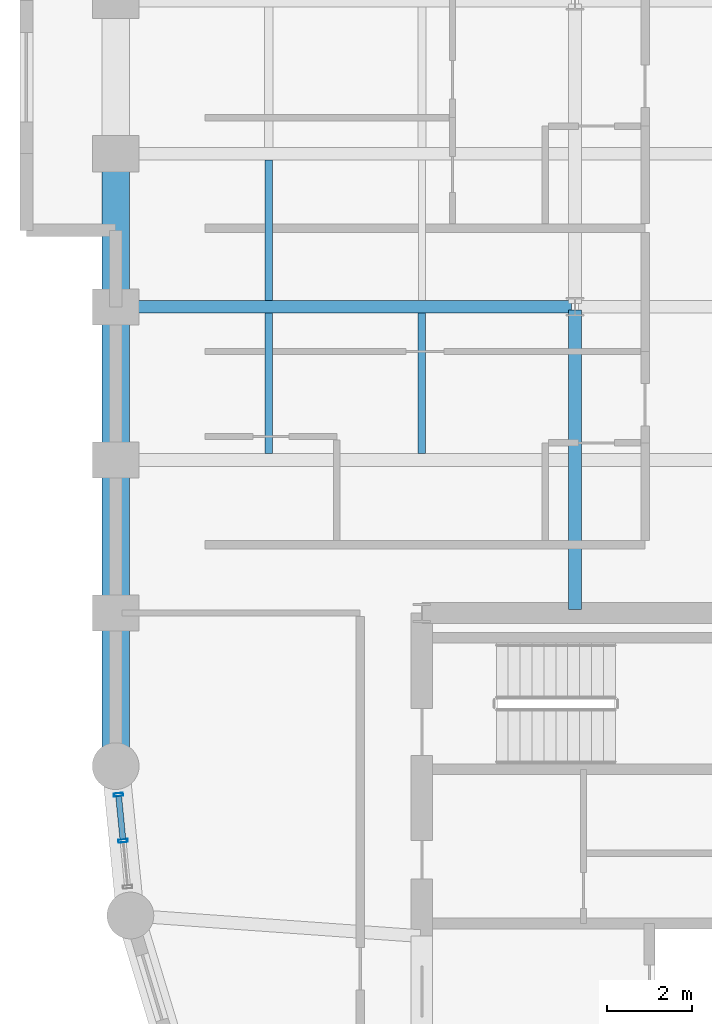
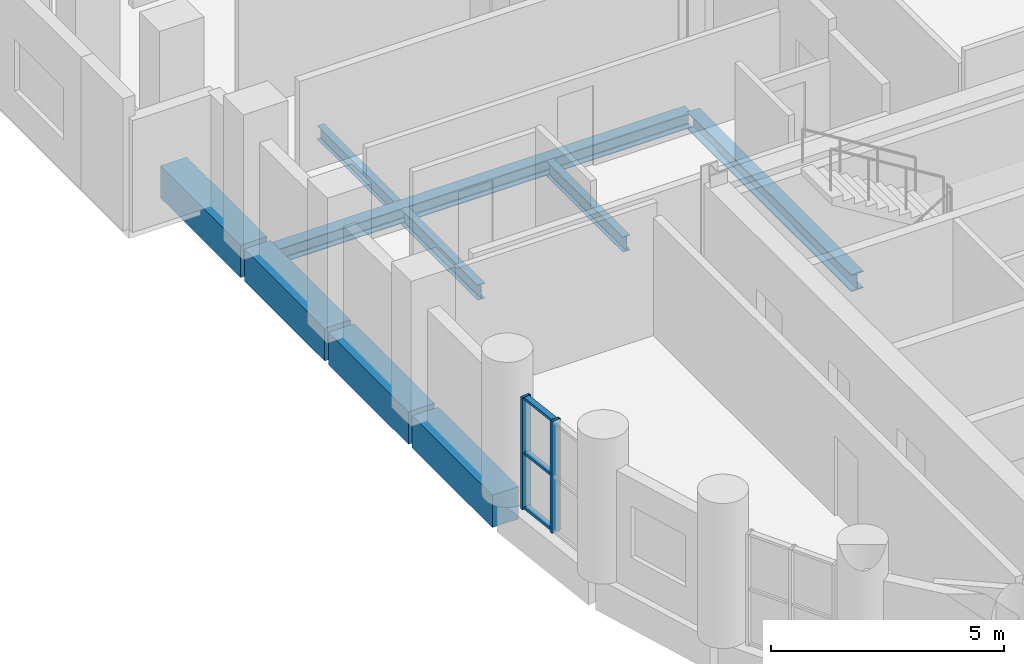
# One storey, part 5 of 13: 9 beams, 5 members, 1 element without a shape of its own.
"""IFC4 building model written with IfcOpenShell, lengths in metres."""

from ifc_helpers import new_model, si_unit, direction, frame, origin, origin_2d, place, context, subcontext, project, spatial, rectangle, hollow_rectangle, i_section, extrude, material, layer, layer_set, material_profile, profile_set, type_object, element, aggregate, save


model = new_model("IFC4")

# Units and contexts
model_context = context("Model", 3, precision=1e-05, world=origin(), true_north=direction((0.0, 1.0)))
body_context = subcontext(model_context, "Body", "Model", "MODEL_VIEW")
ifc_project = project(units=[si_unit("LENGTHUNIT", "METRE"), si_unit("AREAUNIT", "SQUARE_METRE"), si_unit("VOLUMEUNIT", "CUBIC_METRE"), si_unit("PLANEANGLEUNIT", "RADIAN"), si_unit("MASSUNIT", "GRAM", prefix="KILO")], contexts=[model_context])

# Site, building, storey
site_placement = place(None, origin())
site = spatial("IfcSite", under=ifc_project, at=site_placement, CompositionType="ELEMENT")
building_placement = place(site_placement, origin())
building = spatial("IfcBuilding", under=site, at=building_placement, Name="Solnavia Interchange Tower", CompositionType="ELEMENT")
storey_placement = place(building_placement, frame((0.0, 0.0, 123.800048828125)))
storey = spatial("IfcBuildingStorey", under=building, at=storey_placement, Name="L30", CompositionType="ELEMENT", Elevation=123.800048828125)

# Beams
ifc_material_1 = material(Name="Steel S460", Category="steel")
ifc_material_profile_1 = material_profile(ifc_material_1, i_section(OverallWidth=0.300048828125, OverallDepth=0.449951171875, WebThickness=0.013916015625, FlangeThickness=0.02587890625, FilletRadius=0.027099609375, at=origin_2d()), Name="HEB 450")
ifc_profile_set_1 = profile_set([ifc_material_profile_1], Name="Steel S460")
beam_type_1 = type_object("IfcBeamType", Name="Beam-Girder-HEB450", PredefinedType="BEAM", material=ifc_profile_set_1)
beam_1_placement = place(storey_placement, frame((18.0, 25.280029296875, -0.47509765625), z_axis=(0.0, 1.0, 0.0), x_axis=(-1.0, 0.0, 0.0)))
element("IfcBeam", 1, at=beam_1_placement, inside=storey, type_object=beam_type_1, Name="GRD-L30-NS11 North wing spine girder", PredefinedType="BEAM", context=body_context, shape_type="SweptSolid", body=[
    extrude(i_section(OverallWidth=0.300048828125, OverallDepth=0.449951171875, WebThickness=0.013916015625, FlangeThickness=0.02587890625, FilletRadius=0.027099609375, at=origin_2d()), origin(), (0.0, 0.0, 1.0), 7.0400390625),
])
ifc_material_2 = material(Name="Steel S355", Category="steel")
ifc_material_profile_2 = material_profile(ifc_material_2, i_section(OverallWidth=0.169921875, OverallDepth=0.360107421875, WebThickness=0.008056640625, FlangeThickness=0.0126953125, FilletRadius=0.01806640625, at=origin_2d()), Name="IPE 360")
ifc_profile_set_2 = profile_set([ifc_material_profile_2], Name="Steel S355")
beam_type_2 = type_object("IfcBeamType", Name="Beam-Joist-IPE360", PredefinedType="JOIST", material=ifc_profile_set_2)
beam_2_placement = place(storey_placement, frame((10.800048828125, 32.550048828125, -0.429931640625), z_axis=(0.0, 1.0, 0.0), x_axis=(-1.0, 0.0, 0.0)))
element("IfcBeam", 2, at=beam_2_placement, inside=storey, type_object=beam_type_2, Name="JST-L30-N18 North wing secondary joist", PredefinedType="JOIST", context=body_context, shape_type="SweptSolid", body=[
    extrude(i_section(OverallWidth=0.169921875, OverallDepth=0.360107421875, WebThickness=0.008056640625, FlangeThickness=0.0126953125, FilletRadius=0.01806640625, at=origin_2d()), origin(), (0.0, 0.0, 1.0), 3.300048828125),
])
ifc_material_profile_3 = material_profile(ifc_material_2, i_section(OverallWidth=0.179931640625, OverallDepth=0.39990234375, WebThickness=0.008544921875, FlangeThickness=0.013427734375, FilletRadius=0.02099609375, at=origin_2d()), Name="IPE 400")
ifc_profile_set_3 = profile_set([ifc_material_profile_3], Name="Steel S355")
beam_type_3 = type_object("IfcBeamType", Name="Beam-Joist-IPE400", PredefinedType="JOIST", material=ifc_profile_set_3)
for number, where, z_axis, x_axis, name in (
    (3, (10.800048828125, 28.949951171875, -0.449951171875), (0.0, 1.0, 0.0), (-1.0, 0.0, 0.0), "JST-L30-N17 North wing secondary joist"),
    (4, (14.39990234375, 28.949951171875, -0.449951171875), (0.0, 1.0, 0.0), (-1.0, 0.0, 0.0), "JST-L30-N20 North wing secondary joist"),
):
    element("IfcBeam", number, at=place(storey_placement, frame(where, z_axis=z_axis, x_axis=x_axis)), inside=storey, type_object=beam_type_3, Name=name, PredefinedType="JOIST", context=body_context, shape_type="SweptSolid", body=[
        extrude(i_section(OverallWidth=0.179931640625, OverallDepth=0.39990234375, WebThickness=0.008544921875, FlangeThickness=0.013427734375, FilletRadius=0.02099609375, at=origin_2d()), origin(), (0.0, 0.0, 1.0), 3.300048828125),
    ])
ifc_material_profile_4 = material_profile(ifc_material_2, i_section(OverallWidth=0.300048828125, OverallDepth=0.389892578125, WebThickness=0.010986328125, FlangeThickness=0.01904296875, FilletRadius=0.027099609375, at=origin_2d()), Name="HEA 400")
ifc_profile_set_4 = profile_set([ifc_material_profile_4], Name="Steel S355")
beam_type_4 = type_object("IfcBeamType", Name="Beam-Primary-HEA400", PredefinedType="BEAM", material=ifc_profile_set_4)
beam_3_placement = place(storey_placement, frame((7.280029296875, 32.39990234375, -0.445068359375), z_axis=(1.0, 0.0, 0.0), x_axis=(0.0, 1.0, 0.0)))
element("IfcBeam", 5, at=beam_3_placement, inside=storey, type_object=beam_type_4, Name="GRD-L30-NW15 North wing primary floor girder", PredefinedType="BEAM", context=body_context, shape_type="SweptSolid", body=[
    extrude(i_section(OverallWidth=0.300048828125, OverallDepth=0.389892578125, WebThickness=0.010986328125, FlangeThickness=0.01904296875, FilletRadius=0.027099609375, at=origin_2d()), origin(), (0.0, 0.0, 1.0), 10.639892578125),
])
ifc_material_3 = material(Name="Concrete C50/60", Category="concrete")
ifc_material_profile_5 = material_profile(ifc_material_3, rectangle(XDim=0.64990234375, YDim=0.85009765625, at=origin_2d()), Name="RC 650x850")
ifc_profile_set_5 = profile_set([ifc_material_profile_5], Name="Concrete C50/60")
beam_type_5 = type_object("IfcBeamType", Name="Beam-Spandrel-RC650x850", PredefinedType="SPANDREL", material=ifc_profile_set_5)
beam_4_placement = place(storey_placement, frame((7.199951171875, 35.919921875, -0.425048828125), z_axis=(0.0, -1.0, 0.0), x_axis=(1.0, 0.0, 0.0)))
element("IfcBeam", 6, at=beam_4_placement, inside=storey, type_object=beam_type_5, Name="SPB-L30-37 Framed-tube perimeter spandrel beam", PredefinedType="SPANDREL", context=body_context, shape_type="SweptSolid", body=[
    extrude(rectangle(XDim=0.64990234375, YDim=0.85009765625, at=origin_2d()), origin(), (0.0, 0.0, 1.0), 3.43994140625),
])
beam_5_placement = place(storey_placement, frame((7.199951171875, 32.320068359375, -0.425048828125), z_axis=(0.0, -1.0, 0.0), x_axis=(1.0, 0.0, 0.0)))
element("IfcBeam", 7, at=beam_5_placement, inside=storey, type_object=beam_type_5, Name="SPB-L30-38 Framed-tube perimeter spandrel beam", PredefinedType="SPANDREL", context=body_context, shape_type="SweptSolid", body=[
    extrude(rectangle(XDim=0.64990234375, YDim=0.85009765625, at=origin_2d()), origin(), (0.0, 0.0, 1.0), 3.440185546875),
])
beam_6_placement = place(storey_placement, frame((7.199951171875, 28.719970703125, -0.425048828125), z_axis=(0.0, -1.0, 0.0), x_axis=(1.0, 0.0, 0.0)))
element("IfcBeam", 8, at=beam_6_placement, inside=storey, type_object=beam_type_5, Name="SPB-L30-39 Framed-tube perimeter spandrel beam", PredefinedType="SPANDREL", context=body_context, shape_type="SweptSolid", body=[
    extrude(rectangle(XDim=0.64990234375, YDim=0.85009765625, at=origin_2d()), origin(), (0.0, 0.0, 1.0), 3.43994140625),
])
beam_7_placement = place(storey_placement, frame((7.199951171875, 25.1201171875, -0.425048828125), z_axis=(0.0, -1.0, 0.0), x_axis=(1.0, 0.0, 0.0)))
element("IfcBeam", 9, at=beam_7_placement, inside=storey, type_object=beam_type_5, Name="SPB-L30-40 Framed-tube perimeter spandrel beam", PredefinedType="SPANDREL", context=body_context, shape_type="SweptSolid", body=[
    extrude(rectangle(XDim=0.64990234375, YDim=0.85009765625, at=origin_2d()), origin(), (0.0, 0.0, 1.0), 3.440185546875),
])

# Curtain wall, members
ifc_material_4 = material(Name="Aluminium Alloy 6063-T6", Category="aluminium")
ifc_layer = layer(ifc_material_4, 0.239990234375)
ifc_layer_set = layer_set([ifc_layer], Name="Aluminium Alloy 6063-T6")
curtain_wall_type = type_object("IfcCurtainWallType", Name="CurtainWall-Drum-CTW2", PredefinedType="NOTDEFINED", material=ifc_layer_set)
curtain_wall_placement = place(storey_placement, origin())
curtain_wall = element("IfcCurtainWall", 10, at=curtain_wall_placement, inside=storey, type_object=curtain_wall_type, Name="CTW-L30-D55 CTW-2 curtain wall", PredefinedType="NOTDEFINED")
ifc_material_profile_6 = material_profile(ifc_material_4, hollow_rectangle(XDim=0.074951171875, YDim=0.219970703125, WallThickness=0.0048828125, at=origin_2d()), Name="ALU 220x75x5")
ifc_profile_set_6 = profile_set([ifc_material_profile_6], Name="Aluminium Alloy 6063-T6")
member_type_1 = type_object("IfcMemberType", Name="CW-Mullion-CWM-2", PredefinedType="MULLION", material=ifc_profile_set_6)
member_1_placement = place(storey_placement, frame((7.26611328125, 20.92822265625, 0.0), z_axis=(0.0, 0.0, 1.0), x_axis=(0.098045297616, -0.995181953019, 0.0)))
member_1 = element("IfcMember", 11, at=member_1_placement, type_object=member_type_1, Name="CTW-2 mullion 1", PredefinedType="MULLION", context=body_context, shape_type="SweptSolid", body=[
    extrude(hollow_rectangle(XDim=0.074951171875, YDim=0.219970703125, WallThickness=0.0048828125, at=origin_2d()), origin(), (0.0, 0.0, 1.0), 2.929931640625),
])
member_2_placement = place(storey_placement, frame((7.373046875, 19.843994140625, 0.0), z_axis=(0.0, 0.0, 1.0), x_axis=(0.098045297616, -0.995181953019, 0.0)))
member_2 = element("IfcMember", 12, at=member_2_placement, type_object=member_type_1, Name="CTW-2 mullion 2", PredefinedType="MULLION", context=body_context, shape_type="SweptSolid", body=[
    extrude(hollow_rectangle(XDim=0.074951171875, YDim=0.219970703125, WallThickness=0.0048828125, at=origin_2d()), origin(), (0.0, 0.0, 1.0), 2.929931640625),
])
ifc_material_profile_7 = material_profile(ifc_material_4, hollow_rectangle(XDim=0.06494140625, YDim=0.139892578125, WallThickness=0.00390625, at=origin_2d()), Name="ALU 140x65x4")
ifc_profile_set_7 = profile_set([ifc_material_profile_7], Name="Aluminium Alloy 6063-T6")
member_type_2 = type_object("IfcMemberType", Name="CW-Transom-CWT-2", PredefinedType="USERDEFINED", material=ifc_profile_set_7)
member_3_placement = place(storey_placement, frame((7.269775390625, 20.890869140625, 0.032470703125), z_axis=(0.098193057541, -0.99516738464, 0.0), x_axis=(0.0, 0.0, 1.0)))
member_3 = element("IfcMember", 13, at=member_3_placement, type_object=member_type_2, Name="CTW-2 transom 1.1", ObjectType="TRANSOM", PredefinedType="USERDEFINED", context=body_context, shape_type="SweptSolid", body=[
    extrude(hollow_rectangle(XDim=0.06494140625, YDim=0.139892578125, WallThickness=0.00390625, at=origin_2d()), origin(), (0.0, 0.0, 1.0), 1.014404296875),
])
member_4_placement = place(storey_placement, frame((7.269775390625, 20.890869140625, 1.46484375), z_axis=(0.098193057541, -0.99516738464, 0.0), x_axis=(0.0, 0.0, 1.0)))
member_4 = element("IfcMember", 14, at=member_4_placement, type_object=member_type_2, Name="CTW-2 transom 1.2", ObjectType="TRANSOM", PredefinedType="USERDEFINED", context=body_context, shape_type="SweptSolid", body=[
    extrude(hollow_rectangle(XDim=0.06494140625, YDim=0.139892578125, WallThickness=0.00390625, at=origin_2d()), origin(), (0.0, 0.0, 1.0), 1.014404296875),
])
member_5_placement = place(storey_placement, frame((7.269775390625, 20.890869140625, 2.8974609375), z_axis=(0.098193057541, -0.99516738464, 0.0), x_axis=(0.0, 0.0, 1.0)))
member_5 = element("IfcMember", 15, at=member_5_placement, type_object=member_type_2, Name="CTW-2 transom 1.3", ObjectType="TRANSOM", PredefinedType="USERDEFINED", context=body_context, shape_type="SweptSolid", body=[
    extrude(hollow_rectangle(XDim=0.06494140625, YDim=0.139892578125, WallThickness=0.00390625, at=origin_2d()), origin(), (0.0, 0.0, 1.0), 1.014404296875),
])
aggregate(curtain_wall, [member_1, member_2, member_3, member_4, member_5])

save(model, "model.ifc")
